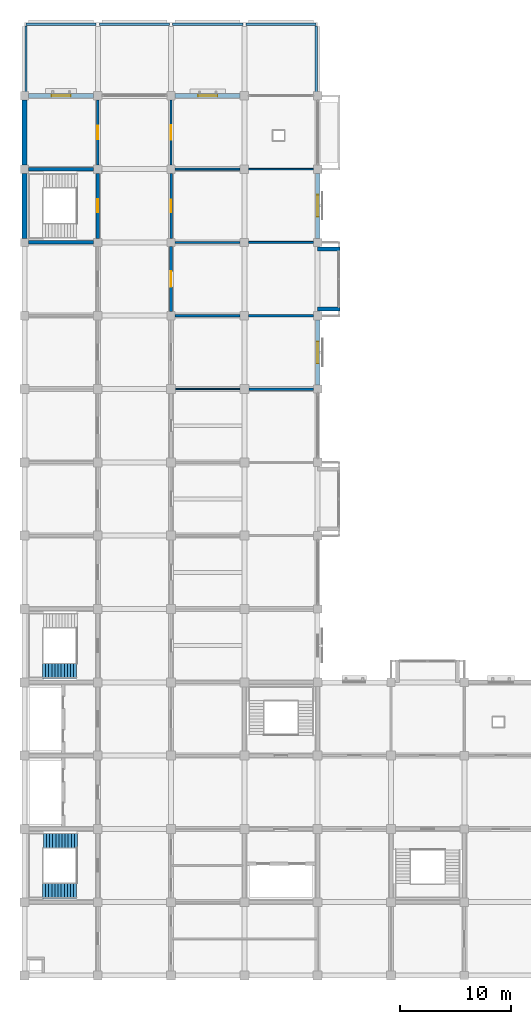
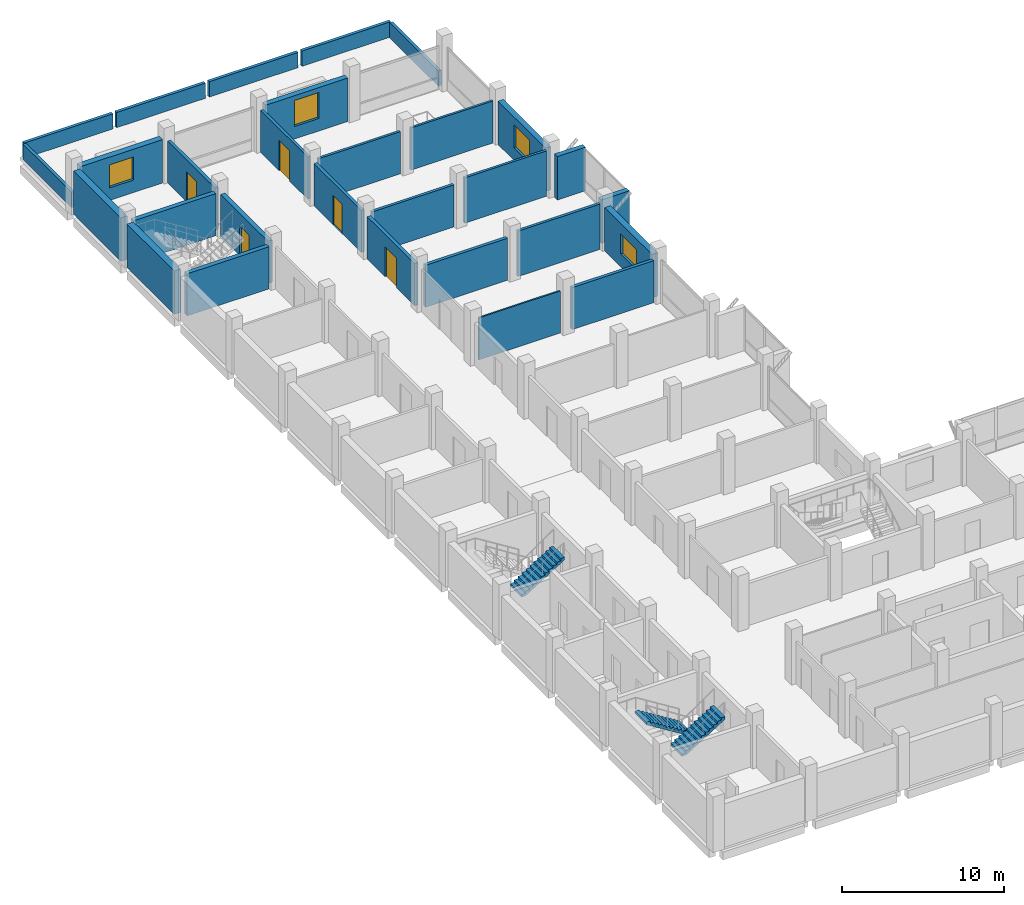
# One storey, part 11 of 15: 29 walls, 5 doors, 4 windows, 3 stair flights, 9 openings, 2 elements without a shape of their own.
"""IFC4 building model written with IfcOpenShell, lengths in metres."""

from ifc_helpers import new_model, si_unit, direction, frame, frame_2d, origin, place, context, subcontext, project, spatial, polyline, rectangle, outline, extrude, material, layer, layer_set, type_object, element, fill, aggregate, save


model = new_model("IFC4")

# Units and contexts
model_context = context("Model", 3, precision=1e-05, world=origin(), true_north=direction((0.0, 1.0)))
body_context = subcontext(model_context, "Body", "Model", "MODEL_VIEW")
ifc_project = project(units=[si_unit("LENGTHUNIT", "METRE"), si_unit("AREAUNIT", "SQUARE_METRE"), si_unit("VOLUMEUNIT", "CUBIC_METRE"), si_unit("PLANEANGLEUNIT", "RADIAN"), si_unit("MASSUNIT", "GRAM", prefix="KILO")], contexts=[model_context])

# Site, building, storey
site_placement = place(None, origin())
site = spatial("IfcSite", under=ifc_project, at=site_placement, CompositionType="ELEMENT")
building_placement = place(site_placement, origin())
building = spatial("IfcBuilding", under=site, at=building_placement, Name="Rusizi Kubbe Research Institute", CompositionType="ELEMENT")
storey_placement = place(building_placement, frame((0.0, 0.0, 27.0)))
storey = spatial("IfcBuildingStorey", under=building, at=storey_placement, Name="L06", CompositionType="ELEMENT", Elevation=27.0)

# Walls
ifc_material_1 = material(Name="Concrete C45/55", Category="concrete")
ifc_layer_1 = layer(ifc_material_1, 0.31494140625)
ifc_layer_set_1 = layer_set([ifc_layer_1], Name="Concrete C45/55")
wall_type_1 = type_object("IfcWallType", Name="CRW-02", PredefinedType="SHEAR", material=ifc_layer_set_1)
for number, where, z_axis, x_axis, name in (
    (1, (0.375, 66.0, 0.0), (0.0, 0.0, 1.0), (1.0, 0.0, 0.0), "Stair Core Shear Wall ST5 L06 S"),
    (2, (0.375, 72.60009765625, 0.0), (0.0, 0.0, 1.0), (1.0, 0.0, 0.0), "Stair Core Shear Wall ST5 L06 N"),
):
    element("IfcWall", number, at=place(storey_placement, frame(where, z_axis=z_axis, x_axis=x_axis)), inside=storey, type_object=wall_type_1, Name=name, PredefinedType="SHEAR", context=body_context, shape_type="SweptSolid", body=[
        extrude(rectangle(XDim=5.85009765625, YDim=0.31494140625, at=frame_2d((2.925048828125, 0.0))), origin(), (0.0, 0.0, 1.0), 3.169921875),
    ])

# Wall, opening, door
wall_1_placement = place(storey_placement, frame((6.60009765625, 66.375, 0.0), z_axis=(0.0, 0.0, 1.0), x_axis=(0.0, 1.0, 0.0)))
wall_1 = element("IfcWall", 3, at=wall_1_placement, inside=storey, type_object=wall_type_1, Name="Stair Core Shear Wall ST5 L06 E", PredefinedType="SHEAR", context=body_context, shape_type="SweptSolid", body=[
    extrude(rectangle(XDim=5.85009765625, YDim=0.31494140625, at=frame_2d((2.925048828125, 0.0))), origin(), (0.0, 0.0, 1.0), 3.169921875),
])
opening_1_placement = place(wall_1_placement, frame((2.35009765625, 0.0, 0.0)))
opening_1 = element("IfcOpeningElement", 4, at=opening_1_placement, cuts=wall_1, Name="Opening D-02", PredefinedType="OPENING", context=body_context, shape_type="SweptSolid", body=[
    extrude(rectangle(XDim=1.14990234375, YDim=2.199951171875, at=frame_2d((0.574951171875, 1.10009765625))), frame((0.0, 0.16748046875, 0.0), z_axis=(0.0, -1.0, 0.0), x_axis=(1.0, 0.0, 0.0)), (0.0, 0.0, 1.0), 0.3349609375),
])
ifc_material_2 = material(Name="Fire-Rated Steel Frame and Acoustic Timber Leaf", Category="wood")
door_type_1 = type_object("IfcDoorType", Name="ID-STAIR-115", OperationType="NOTDEFINED", PredefinedType="DOOR", material=ifc_material_2)
door_1_placement = place(opening_1_placement, origin())
door_1 = element("IfcDoor", 5, at=door_1_placement, inside=storey, type_object=door_type_1, Name="Exit Stair Door ST5 L06", OperationType="SINGLE_SWING_RIGHT", OverallHeight=2.199951171875, OverallWidth=1.14990234375, PredefinedType="DOOR", context=body_context, shape_type="SweptSolid", body=[
    extrude(rectangle(XDim=1.14990234375, YDim=2.199951171875, at=frame_2d((0.574951171875, 1.10009765625))), frame((0.0, 0.02490234375, 0.0), z_axis=(0.0, -1.0, 0.0), x_axis=(1.0, 0.0, 0.0)), (0.0, 0.0, 1.0), 0.050048828125),
])
fill(opening_1, door_1)

# Wall, opening, window
ifc_material_3 = material(Name="Volcanic Basalt Ashlar Masonry", Category="masonry")
ifc_layer_2 = layer(ifc_material_3, 0.419921875)
ifc_layer_set_2 = layer_set([ifc_layer_2], Name="Volcanic Basalt Ashlar Masonry")
wall_type_2 = type_object("IfcWallType", Name="EW-02", PredefinedType="SOLIDWALL", material=ifc_layer_set_2)
wall_2_placement = place(storey_placement, frame((0.375, 79.199951171875, 0.0), z_axis=(0.0, 0.0, 1.0), x_axis=(1.0, 0.0, 0.0)))
wall_2 = element("IfcWall", 6, at=wall_2_placement, inside=storey, type_object=wall_type_2, Name="Ablaq Stone Exterior Wall L06 H0-12", PredefinedType="SOLIDWALL", context=body_context, shape_type="SweptSolid", body=[
    extrude(rectangle(XDim=5.85009765625, YDim=0.419921875, at=frame_2d((2.925048828125, 0.0))), origin(), (0.0, 0.0, 1.0), 3.27001953125),
])
opening_2_placement = place(wall_2_placement, frame((2.06494140625, 0.0, 0.949951171875)))
opening_2 = element("IfcOpeningElement", 7, at=opening_2_placement, cuts=wall_2, Name="Opening WN-23", PredefinedType="OPENING", context=body_context, shape_type="SweptSolid", body=[
    extrude(rectangle(XDim=1.719970703125, YDim=1.739990234375, at=frame_2d((0.85986328125, 0.8701171875))), frame((0.0, 0.219970703125, 0.0), z_axis=(0.0, -1.0, 0.0), x_axis=(1.0, 0.0, 0.0)), (0.0, 0.0, 1.0), 0.43994140625),
])
ifc_material_4 = material(Name="Aluminium Frame and Solar-Control Double Glazing", Category="glass")
window_type_1 = type_object("IfcWindowType", Name="WN-23", PartitioningType="DOUBLE_PANEL_VERTICAL", PredefinedType="WINDOW", material=ifc_material_4)
window_1_placement = place(opening_2_placement, origin())
window_1 = element("IfcWindow", 8, at=window_1_placement, inside=storey, type_object=window_type_1, Name="Casement Window WN-23 L06", OverallHeight=1.739990234375, OverallWidth=1.719970703125, PartitioningType="DOUBLE_PANEL_VERTICAL", PredefinedType="WINDOW", context=body_context, shape_type="SweptSolid", body=[
    extrude(rectangle(XDim=1.719970703125, YDim=1.739990234375, at=frame_2d((0.85986328125, 0.8701171875))), frame((0.0, 0.030029296875, 0.0), z_axis=(0.0, -1.0, 0.0), x_axis=(1.0, 0.0, 0.0)), (0.0, 0.0, 1.0), 0.06005859375),
])
fill(opening_2, window_1)

wall_3_placement = place(storey_placement, frame((26.39990234375, 53.175048828125, 0.0), z_axis=(0.0, 0.0, 1.0), x_axis=(0.0, 1.0, 0.0)))
wall_3 = element("IfcWall", 9, at=wall_3_placement, inside=storey, type_object=wall_type_2, Name="Ablaq Stone Exterior Wall L06 V4-8", PredefinedType="SOLIDWALL", context=body_context, shape_type="SweptSolid", body=[
    extrude(rectangle(XDim=5.849853515625, YDim=0.419921875, at=frame_2d((2.9248046875, 0.0))), origin(), (0.0, 0.0, 1.0), 3.27001953125),
])
opening_3_placement = place(wall_3_placement, frame((1.945068359375, 0.0, 0.949951171875)))
opening_3 = element("IfcOpeningElement", 10, at=opening_3_placement, cuts=wall_3, Name="Opening WN-26", PredefinedType="OPENING", context=body_context, shape_type="SweptSolid", body=[
    extrude(rectangle(XDim=1.9599609375, YDim=1.52001953125, at=frame_2d((0.97998046875, 0.760009765625))), frame((0.0, 0.219970703125, 0.0), z_axis=(0.0, -1.0, 0.0), x_axis=(1.0, 0.0, 0.0)), (0.0, 0.0, 1.0), 0.43994140625),
])
ifc_material_5 = material(Name="Aluminium Frame and Solar-Control Double Glazing", Category="glass")
window_type_2 = type_object("IfcWindowType", Name="WN-26", PartitioningType="DOUBLE_PANEL_VERTICAL", PredefinedType="WINDOW", material=ifc_material_5)
window_2_placement = place(opening_3_placement, origin())
window_2 = element("IfcWindow", 11, at=window_2_placement, inside=storey, type_object=window_type_2, Name="Casement Window WN-26 L06", OverallHeight=1.52001953125, OverallWidth=1.9599609375, PartitioningType="DOUBLE_PANEL_VERTICAL", PredefinedType="WINDOW", context=body_context, shape_type="SweptSolid", body=[
    extrude(rectangle(XDim=1.9599609375, YDim=1.52001953125, at=frame_2d((0.97998046875, 0.760009765625))), frame((0.0, 0.030029296875, 0.0), z_axis=(0.0, -1.0, 0.0), x_axis=(1.0, 0.0, 0.0)), (0.0, 0.0, 1.0), 0.06005859375),
])
fill(opening_3, window_2)

ifc_material_6 = material(Name="Volcanic Basalt Ashlar Masonry", Category="masonry")
ifc_layer_3 = layer(ifc_material_6, 0.385009765625)
ifc_layer_set_3 = layer_set([ifc_layer_3], Name="Volcanic Basalt Ashlar Masonry")
wall_type_3 = type_object("IfcWallType", Name="EW-04", PredefinedType="SOLIDWALL", material=ifc_layer_set_3)
wall_4_placement = place(storey_placement, frame((13.574951171875, 79.199951171875, 0.0), z_axis=(0.0, 0.0, 1.0), x_axis=(1.0, 0.0, 0.0)))
wall_4 = element("IfcWall", 12, at=wall_4_placement, inside=storey, type_object=wall_type_3, Name="Ablaq Stone Exterior Wall L06 H2-12", PredefinedType="SOLIDWALL", context=body_context, shape_type="SweptSolid", body=[
    extrude(rectangle(XDim=5.85009765625, YDim=0.385009765625, at=frame_2d((2.925048828125, 0.0))), origin(), (0.0, 0.0, 1.0), 3.27001953125),
])
opening_4_placement = place(wall_4_placement, frame((2.06494140625, 0.0, 0.949951171875)))
opening_4 = element("IfcOpeningElement", 13, at=opening_4_placement, cuts=wall_4, Name="Opening WN-24", PredefinedType="OPENING", context=body_context, shape_type="SweptSolid", body=[
    extrude(rectangle(XDim=1.719970703125, YDim=1.9599609375, at=frame_2d((0.85986328125, 0.97998046875))), frame((0.0, 0.202392578125, 0.0), z_axis=(0.0, -1.0, 0.0), x_axis=(1.0, 0.0, 0.0)), (0.0, 0.0, 1.0), 0.405029296875),
])
ifc_material_7 = material(Name="Aluminium Frame and Solar-Control Double Glazing", Category="glass")
window_type_3 = type_object("IfcWindowType", Name="WN-24", PartitioningType="DOUBLE_PANEL_VERTICAL", PredefinedType="WINDOW", material=ifc_material_7)
window_3_placement = place(opening_4_placement, origin())
window_3 = element("IfcWindow", 14, at=window_3_placement, inside=storey, type_object=window_type_3, Name="Casement Window WN-24 L06", OverallHeight=1.9599609375, OverallWidth=1.719970703125, PartitioningType="DOUBLE_PANEL_VERTICAL", PredefinedType="WINDOW", context=body_context, shape_type="SweptSolid", body=[
    extrude(rectangle(XDim=1.719970703125, YDim=1.9599609375, at=frame_2d((0.85986328125, 0.97998046875))), frame((0.0, 0.030029296875, 0.0), z_axis=(0.0, -1.0, 0.0), x_axis=(1.0, 0.0, 0.0)), (0.0, 0.0, 1.0), 0.06005859375),
])
fill(opening_4, window_3)

wall_5_placement = place(storey_placement, frame((26.39990234375, 66.375, 0.0), z_axis=(0.0, 0.0, 1.0), x_axis=(0.0, 1.0, 0.0)))
wall_5 = element("IfcWall", 15, at=wall_5_placement, inside=storey, type_object=wall_type_3, Name="Ablaq Stone Exterior Wall L06 V4-10", PredefinedType="SOLIDWALL", context=body_context, shape_type="SweptSolid", body=[
    extrude(rectangle(XDim=5.85009765625, YDim=0.385009765625, at=frame_2d((2.925048828125, 0.0))), origin(), (0.0, 0.0, 1.0), 3.27001953125),
])
opening_5_placement = place(wall_5_placement, frame((1.945068359375, 0.0, 0.949951171875)))
opening_5 = element("IfcOpeningElement", 16, at=opening_5_placement, cuts=wall_5, Name="Opening WN-27", PredefinedType="OPENING", context=body_context, shape_type="SweptSolid", body=[
    extrude(rectangle(XDim=1.9599609375, YDim=1.739990234375, at=frame_2d((0.97998046875, 0.8701171875))), frame((0.0, 0.202392578125, 0.0), z_axis=(0.0, -1.0, 0.0), x_axis=(1.0, 0.0, 0.0)), (0.0, 0.0, 1.0), 0.405029296875),
])
ifc_material_8 = material(Name="Aluminium Frame and Solar-Control Double Glazing", Category="glass")
window_type_4 = type_object("IfcWindowType", Name="WN-27", PartitioningType="DOUBLE_PANEL_VERTICAL", PredefinedType="WINDOW", material=ifc_material_8)
window_4_placement = place(opening_5_placement, origin())
window_4 = element("IfcWindow", 17, at=window_4_placement, inside=storey, type_object=window_type_4, Name="Casement Window WN-27 L06", OverallHeight=1.739990234375, OverallWidth=1.9599609375, PartitioningType="DOUBLE_PANEL_VERTICAL", PredefinedType="WINDOW", context=body_context, shape_type="SweptSolid", body=[
    extrude(rectangle(XDim=1.9599609375, YDim=1.739990234375, at=frame_2d((0.97998046875, 0.8701171875))), frame((0.0, 0.030029296875, 0.0), z_axis=(0.0, -1.0, 0.0), x_axis=(1.0, 0.0, 0.0)), (0.0, 0.0, 1.0), 0.06005859375),
])
fill(opening_5, window_4)

# Walls
ifc_material_9 = material(Name="Volcanic Basalt Ashlar Masonry", Category="masonry")
ifc_layer_4 = layer(ifc_material_9, 0.35498046875)
ifc_layer_set_4 = layer_set([ifc_layer_4], Name="Volcanic Basalt Ashlar Masonry")
wall_type_4 = type_object("IfcWallType", Name="EW-06", PredefinedType="SOLIDWALL", material=ifc_layer_set_4)
for number, where, z_axis, x_axis, name in (
    (18, (26.39990234375, 60.0, 0.0), (0.0, 0.0, 1.0), (1.0, 0.0, 0.0), "Cumba Return Wall S L06 (4,9)"),
    (19, (26.39990234375, 65.39990234375, 0.0), (0.0, 0.0, 1.0), (1.0, 0.0, 0.0), "Cumba Return Wall N L06 (4,9)"),
):
    element("IfcWall", number, at=place(storey_placement, frame(where, z_axis=z_axis, x_axis=x_axis)), inside=storey, type_object=wall_type_4, Name=name, PredefinedType="SOLIDWALL", context=body_context, shape_type="SweptSolid", body=[
        extrude(rectangle(XDim=2.0, YDim=0.35498046875, at=frame_2d((1.0, 0.0))), origin(), (0.0, 0.0, 1.0), 3.27001953125),
    ])

# Wall, opening, door
ifc_material_10 = material(Name="Concrete Blockwork Fire Partition", Category="masonry")
ifc_layer_5 = layer(ifc_material_10, 0.22509765625)
ifc_layer_set_5 = layer_set([ifc_layer_5], Name="Concrete Blockwork Fire Partition")
wall_type_5 = type_object("IfcWallType", Name="IW-01", PredefinedType="PARTITIONING", material=ifc_layer_set_5)
wall_6_placement = place(storey_placement, frame((6.60009765625, 72.97509765625, 0.0), z_axis=(0.0, 0.0, 1.0), x_axis=(0.0, 1.0, 0.0)))
wall_6 = element("IfcWall", 20, at=wall_6_placement, inside=storey, type_object=wall_type_5, Name="Interior Partition Wall L06 V1-11", PredefinedType="PARTITIONING", context=body_context, shape_type="SweptSolid", body=[
    extrude(rectangle(XDim=5.849853515625, YDim=0.22509765625, at=frame_2d((2.9248046875, 0.0))), origin(), (0.0, 0.0, 1.0), 3.169921875),
])
opening_6_placement = place(wall_6_placement, frame((2.300048828125, 0.0, 0.0)))
opening_6 = element("IfcOpeningElement", 21, at=opening_6_placement, cuts=wall_6, Name="Opening D-15", PredefinedType="OPENING", context=body_context, shape_type="SweptSolid", body=[
    extrude(rectangle(XDim=1.25, YDim=2.25, at=frame_2d((0.625, 1.125))), frame((0.0, 0.12255859375, 0.0), z_axis=(0.0, -1.0, 0.0), x_axis=(1.0, 0.0, 0.0)), (0.0, 0.0, 1.0), 0.2451171875),
])
ifc_material_11 = material(Name="Fire-Rated Steel Frame and Acoustic Timber Leaf", Category="wood")
door_type_2 = type_object("IfcDoorType", Name="ID-LAB-125", OperationType="NOTDEFINED", PredefinedType="DOOR", material=ifc_material_11)
door_2_placement = place(opening_6_placement, origin())
door_2 = element("IfcDoor", 22, at=door_2_placement, inside=storey, type_object=door_type_2, Name="Door to Clean Room Metrology Laboratory (L06-WSP-11)", OperationType="SINGLE_SWING_LEFT", OverallHeight=2.25, OverallWidth=1.25, PredefinedType="DOOR", context=body_context, shape_type="SweptSolid", body=[
    extrude(rectangle(XDim=1.25, YDim=2.25, at=frame_2d((0.625, 1.125))), frame((0.0, 0.02490234375, 0.0), z_axis=(0.0, -1.0, 0.0), x_axis=(1.0, 0.0, 0.0)), (0.0, 0.0, 1.0), 0.050048828125),
])
fill(opening_6, door_2)

wall_7_placement = place(storey_placement, frame((13.199951171875, 66.375, 0.0), z_axis=(0.0, 0.0, 1.0), x_axis=(0.0, 1.0, 0.0)))
wall_7 = element("IfcWall", 23, at=wall_7_placement, inside=storey, type_object=wall_type_5, Name="Interior Partition Wall L06 V2-10", PredefinedType="PARTITIONING", context=body_context, shape_type="SweptSolid", body=[
    extrude(rectangle(XDim=5.85009765625, YDim=0.22509765625, at=frame_2d((2.925048828125, 0.0))), origin(), (0.0, 0.0, 1.0), 3.169921875),
])
opening_7_placement = place(wall_7_placement, frame((2.364990234375, 0.0, 0.0)))
opening_7 = element("IfcOpeningElement", 24, at=opening_7_placement, cuts=wall_7, Name="Opening D-18", PredefinedType="OPENING", context=body_context, shape_type="SweptSolid", body=[
    extrude(rectangle(XDim=1.1201171875, YDim=2.199951171875, at=frame_2d((0.56005859375, 1.10009765625))), frame((0.0, 0.12255859375, 0.0), z_axis=(0.0, -1.0, 0.0), x_axis=(1.0, 0.0, 0.0)), (0.0, 0.0, 1.0), 0.2451171875),
])
ifc_material_12 = material(Name="Fire-Rated Steel Frame and Acoustic Timber Leaf", Category="wood")
door_type_3 = type_object("IfcDoorType", Name="ID-OFF-112", OperationType="NOTDEFINED", PredefinedType="DOOR", material=ifc_material_12)
door_3_placement = place(opening_7_placement, origin())
door_3 = element("IfcDoor", 25, at=door_3_placement, inside=storey, type_object=door_type_3, Name="Door to Write-up Office (L06-NW-08)", OperationType="SINGLE_SWING_LEFT", OverallHeight=2.199951171875, OverallWidth=1.1201171875, PredefinedType="DOOR", context=body_context, shape_type="SweptSolid", body=[
    extrude(rectangle(XDim=1.1201171875, YDim=2.199951171875, at=frame_2d((0.56005859375, 1.10009765625))), frame((0.0, 0.02490234375, 0.0), z_axis=(0.0, -1.0, 0.0), x_axis=(1.0, 0.0, 0.0)), (0.0, 0.0, 1.0), 0.050048828125),
])
fill(opening_7, door_3)

# Walls
wall_8_placement = place(storey_placement, frame((13.574951171875, 59.39990234375, 0.0), z_axis=(0.0, 0.0, 1.0), x_axis=(1.0, 0.0, 0.0)))
element("IfcWall", 26, at=wall_8_placement, inside=storey, type_object=wall_type_5, Name="Interior Partition Wall L06 H2-9", PredefinedType="PARTITIONING", context=body_context, shape_type="SweptSolid", body=[
    extrude(rectangle(XDim=5.85009765625, YDim=0.22509765625, at=frame_2d((2.925048828125, 0.0))), origin(), (0.0, 0.0, 1.0), 3.169921875),
])
wall_9_placement = place(storey_placement, frame((20.199951171875, 52.800048828125, 0.0), z_axis=(0.0, 0.0, 1.0), x_axis=(1.0, 0.0, 0.0)))
element("IfcWall", 27, at=wall_9_placement, inside=storey, type_object=wall_type_5, Name="Interior Partition Wall L06 H3-8", PredefinedType="PARTITIONING", context=body_context, shape_type="SweptSolid", body=[
    extrude(rectangle(XDim=5.824951171875, YDim=0.22509765625, at=frame_2d((2.91259765625, 0.0))), origin(), (0.0, 0.0, 1.0), 3.169921875),
])

# Wall, opening, door
ifc_material_13 = material(Name="Insulated Cleanroom Partition", Category="masonry")
ifc_layer_6 = layer(ifc_material_13, 0.195068359375)
ifc_layer_set_6 = layer_set([ifc_layer_6], Name="Insulated Cleanroom Partition")
wall_type_6 = type_object("IfcWallType", Name="IW-02", PredefinedType="PARTITIONING", material=ifc_layer_set_6)
wall_10_placement = place(storey_placement, frame((13.199951171875, 72.97509765625, 0.0), z_axis=(0.0, 0.0, 1.0), x_axis=(0.0, 1.0, 0.0)))
wall_10 = element("IfcWall", 28, at=wall_10_placement, inside=storey, type_object=wall_type_6, Name="Interior Partition Wall L06 V2-11", PredefinedType="PARTITIONING", context=body_context, shape_type="SweptSolid", body=[
    extrude(rectangle(XDim=5.849853515625, YDim=0.195068359375, at=frame_2d((2.9248046875, 0.0))), origin(), (0.0, 0.0, 1.0), 3.169921875),
])
opening_8_placement = place(wall_10_placement, frame((2.27490234375, 0.0, 0.0)))
opening_8 = element("IfcOpeningElement", 29, at=opening_8_placement, cuts=wall_10, Name="Opening D-14", PredefinedType="OPENING", context=body_context, shape_type="SweptSolid", body=[
    extrude(rectangle(XDim=1.300048828125, YDim=2.300048828125, at=frame_2d((0.64990234375, 1.14990234375))), frame((0.0, 0.107421875, 0.0), z_axis=(0.0, -1.0, 0.0), x_axis=(1.0, 0.0, 0.0)), (0.0, 0.0, 1.0), 0.215087890625),
])
ifc_material_14 = material(Name="Fire-Rated Steel Frame and Acoustic Timber Leaf", Category="wood")
door_type_4 = type_object("IfcDoorType", Name="ID-LAB-130", OperationType="NOTDEFINED", PredefinedType="DOOR", material=ifc_material_14)
door_4_placement = place(opening_8_placement, origin())
door_4 = element("IfcDoor", 30, at=door_4_placement, inside=storey, type_object=door_type_4, Name="Door to Bioscience Wet Laboratory (L06-NW-09)", OperationType="SINGLE_SWING_RIGHT", OverallHeight=2.300048828125, OverallWidth=1.300048828125, PredefinedType="DOOR", context=body_context, shape_type="SweptSolid", body=[
    extrude(rectangle(XDim=1.300048828125, YDim=2.300048828125, at=frame_2d((0.64990234375, 1.14990234375))), frame((0.0, 0.02490234375, 0.0), z_axis=(0.0, -1.0, 0.0), x_axis=(1.0, 0.0, 0.0)), (0.0, 0.0, 1.0), 0.050048828125),
])
fill(opening_8, door_4)

# Walls
wall_11_placement = place(storey_placement, frame((13.574951171875, 66.0, 0.0), z_axis=(0.0, 0.0, 1.0), x_axis=(1.0, 0.0, 0.0)))
element("IfcWall", 31, at=wall_11_placement, inside=storey, type_object=wall_type_6, Name="Interior Partition Wall L06 H2-10", PredefinedType="PARTITIONING", context=body_context, shape_type="SweptSolid", body=[
    extrude(rectangle(XDim=5.85009765625, YDim=0.195068359375, at=frame_2d((2.925048828125, 0.0))), origin(), (0.0, 0.0, 1.0), 3.169921875),
])
wall_12_placement = place(storey_placement, frame((20.175048828125, 59.39990234375, 0.0), z_axis=(0.0, 0.0, 1.0), x_axis=(1.0, 0.0, 0.0)))
element("IfcWall", 32, at=wall_12_placement, inside=storey, type_object=wall_type_6, Name="Interior Partition Wall L06 H3-9", PredefinedType="PARTITIONING", context=body_context, shape_type="SweptSolid", body=[
    extrude(rectangle(XDim=5.849853515625, YDim=0.195068359375, at=frame_2d((2.9248046875, 0.0))), origin(), (0.0, 0.0, 1.0), 3.419921875),
])
ifc_material_15 = material(Name="Acoustic Laboratory Partition", Category="masonry")
ifc_layer_7 = layer(ifc_material_15, 0.175048828125)
ifc_layer_set_7 = layer_set([ifc_layer_7], Name="Acoustic Laboratory Partition")
wall_type_7 = type_object("IfcWallType", Name="IW-03", PredefinedType="PARTITIONING", material=ifc_layer_set_7)
wall_13_placement = place(storey_placement, frame((13.574951171875, 72.60009765625, 0.0), z_axis=(0.0, 0.0, 1.0), x_axis=(1.0, 0.0, 0.0)))
element("IfcWall", 33, at=wall_13_placement, inside=storey, type_object=wall_type_7, Name="Interior Partition Wall L06 H2-11", PredefinedType="PARTITIONING", context=body_context, shape_type="SweptSolid", body=[
    extrude(rectangle(XDim=5.85009765625, YDim=0.175048828125, at=frame_2d((2.925048828125, 0.0))), origin(), (0.0, 0.0, 1.0), 3.169921875),
])
wall_14_placement = place(storey_placement, frame((20.175048828125, 66.0, 0.0), z_axis=(0.0, 0.0, 1.0), x_axis=(1.0, 0.0, 0.0)))
element("IfcWall", 34, at=wall_14_placement, inside=storey, type_object=wall_type_7, Name="Interior Partition Wall L06 H3-10", PredefinedType="PARTITIONING", context=body_context, shape_type="SweptSolid", body=[
    extrude(rectangle(XDim=5.849853515625, YDim=0.175048828125, at=frame_2d((2.9248046875, 0.0))), origin(), (0.0, 0.0, 1.0), 3.419921875),
])
ifc_material_16 = material(Name="Fire-Rated Corridor Partition", Category="masonry")
ifc_layer_8 = layer(ifc_material_16, 0.155029296875)
ifc_layer_set_8 = layer_set([ifc_layer_8], Name="Fire-Rated Corridor Partition")
wall_type_8 = type_object("IfcWallType", Name="IW-04", PredefinedType="PARTITIONING", material=ifc_layer_set_8)
wall_15_placement = place(storey_placement, frame((20.175048828125, 72.60009765625, 0.0), z_axis=(0.0, 0.0, 1.0), x_axis=(1.0, 0.0, 0.0)))
element("IfcWall", 35, at=wall_15_placement, inside=storey, type_object=wall_type_8, Name="Interior Partition Wall L06 H3-11", PredefinedType="PARTITIONING", context=body_context, shape_type="SweptSolid", body=[
    extrude(rectangle(XDim=5.849853515625, YDim=0.155029296875, at=frame_2d((2.9248046875, 0.0))), origin(), (0.0, 0.0, 1.0), 3.169921875),
])
ifc_material_17 = material(Name="Sub-Suite Fire Partition", Category="masonry")
ifc_layer_9 = layer(ifc_material_17, 0.110107421875)
ifc_layer_set_9 = layer_set([ifc_layer_9], Name="Sub-Suite Fire Partition")
wall_type_9 = type_object("IfcWallType", Name="IW-07", PredefinedType="PARTITIONING", material=ifc_layer_set_9)
wall_16_placement = place(storey_placement, frame((13.60009765625, 52.800048828125, 0.0), z_axis=(0.0, 0.0, 1.0), x_axis=(1.0, 0.0, 0.0)))
element("IfcWall", 36, at=wall_16_placement, inside=storey, type_object=wall_type_9, Name="Interior Partition Wall L06 H2-8", PredefinedType="PARTITIONING", context=body_context, shape_type="SweptSolid", body=[
    extrude(rectangle(XDim=5.7998046875, YDim=0.110107421875, at=frame_2d((2.89990234375, 0.0))), origin(), (0.0, 0.0, 1.0), 3.169921875),
])
ifc_material_18 = material(Name="Volcanic Basalt Ashlar Masonry", Category="masonry")
ifc_layer_10 = layer(ifc_material_18, 0.215087890625)
ifc_layer_set_10 = layer_set([ifc_layer_10], Name="Volcanic Basalt Ashlar Masonry")
wall_type_10 = type_object("IfcWallType", Name="PRP-02", PredefinedType="PARAPET", material=ifc_layer_set_10)
wall_17_placement = place(storey_placement, frame((0.139892578125, 85.659912109375, 0.0), z_axis=(0.0, 0.0, 1.0), x_axis=(1.0, 0.0, 0.0)))
element("IfcWall", 37, at=wall_17_placement, inside=storey, type_object=wall_type_10, Name="Roof Parapet Wall L06-001", PredefinedType="PARAPET", context=body_context, shape_type="SweptSolid", body=[
    extrude(rectangle(XDim=6.320068359375, YDim=0.215087890625, at=frame_2d((3.16015625, 0.0))), origin(), (0.0, 0.0, 1.0), 1.14990234375),
])
wall_18_placement = place(storey_placement, frame((0.139892578125, 79.5, 0.0), z_axis=(0.0, 0.0, 1.0), x_axis=(0.0, 1.0, 0.0)))
element("IfcWall", 38, at=wall_18_placement, inside=storey, type_object=wall_type_10, Name="Roof Parapet Wall L06-002", PredefinedType="PARAPET", context=body_context, shape_type="SweptSolid", body=[
    extrude(rectangle(XDim=6.0, YDim=0.215087890625, at=frame_2d((3.0, 0.0))), origin(), (0.0, 0.0, 1.0), 1.14990234375),
])
wall_19_placement = place(storey_placement, frame((6.739990234375, 85.659912109375, 0.0), z_axis=(0.0, 0.0, 1.0), x_axis=(1.0, 0.0, 0.0)))
element("IfcWall", 39, at=wall_19_placement, inside=storey, type_object=wall_type_10, Name="Roof Parapet Wall L06-003", PredefinedType="PARAPET", context=body_context, shape_type="SweptSolid", body=[
    extrude(rectangle(XDim=6.320068359375, YDim=0.215087890625, at=frame_2d((3.16015625, 0.0))), origin(), (0.0, 0.0, 1.0), 1.14990234375),
])
wall_20_placement = place(storey_placement, frame((13.340087890625, 85.659912109375, 0.0), z_axis=(0.0, 0.0, 1.0), x_axis=(1.0, 0.0, 0.0)))
element("IfcWall", 40, at=wall_20_placement, inside=storey, type_object=wall_type_10, Name="Roof Parapet Wall L06-004", PredefinedType="PARAPET", context=body_context, shape_type="SweptSolid", body=[
    extrude(rectangle(XDim=6.31982421875, YDim=0.215087890625, at=frame_2d((3.159912109375, 0.0))), origin(), (0.0, 0.0, 1.0), 1.14990234375),
])
wall_21_placement = place(storey_placement, frame((19.93994140625, 85.659912109375, 0.0), z_axis=(0.0, 0.0, 1.0), x_axis=(1.0, 0.0, 0.0)))
element("IfcWall", 41, at=wall_21_placement, inside=storey, type_object=wall_type_10, Name="Roof Parapet Wall L06-005", PredefinedType="PARAPET", context=body_context, shape_type="SweptSolid", body=[
    extrude(rectangle(XDim=6.320068359375, YDim=0.215087890625, at=frame_2d((3.16015625, 0.0))), origin(), (0.0, 0.0, 1.0), 1.14990234375),
])
wall_22_placement = place(storey_placement, frame((26.260009765625, 79.5, 0.0), z_axis=(0.0, 0.0, 1.0), x_axis=(0.0, 1.0, 0.0)))
element("IfcWall", 42, at=wall_22_placement, inside=storey, type_object=wall_type_10, Name="Roof Parapet Wall L06-006", PredefinedType="PARAPET", context=body_context, shape_type="SweptSolid", body=[
    extrude(rectangle(XDim=6.0, YDim=0.215087890625, at=frame_2d((3.0, 0.0))), origin(), (0.0, 0.0, 1.0), 1.14990234375),
])
ifc_material_19 = material(Name="Concrete C40/50", Category="concrete")
ifc_layer_11 = layer(ifc_material_19, 0.4599609375)
ifc_layer_set_11 = layer_set([ifc_layer_11], Name="Concrete C40/50")
wall_type_11 = type_object("IfcWallType", Name="PW-02", PredefinedType="SOLIDWALL", material=ifc_layer_set_11)
wall_23_placement = place(storey_placement, frame((0.0, 66.375, 0.0), z_axis=(0.0, 0.0, 1.0), x_axis=(0.0, 1.0, 0.0)))
element("IfcWall", 43, at=wall_23_placement, inside=storey, type_object=wall_type_11, Name="Blind Party Wall L06 V0-10", PredefinedType="SOLIDWALL", context=body_context, shape_type="SweptSolid", body=[
    extrude(rectangle(XDim=5.85009765625, YDim=0.4599609375, at=frame_2d((2.925048828125, 0.0))), origin(), (0.0, 0.0, 1.0), 3.27001953125),
])
wall_24_placement = place(storey_placement, frame((0.0, 72.97509765625, 0.0), z_axis=(0.0, 0.0, 1.0), x_axis=(0.0, 1.0, 0.0)))
element("IfcWall", 44, at=wall_24_placement, inside=storey, type_object=wall_type_11, Name="Blind Party Wall L06 V0-11", PredefinedType="SOLIDWALL", context=body_context, shape_type="SweptSolid", body=[
    extrude(rectangle(XDim=5.849853515625, YDim=0.4599609375, at=frame_2d((2.9248046875, 0.0))), origin(), (0.0, 0.0, 1.0), 3.27001953125),
])

# Wall, opening, door
ifc_material_20 = material(Name="Concrete C40/50", Category="concrete")
ifc_layer_12 = layer(ifc_material_20, 0.2548828125)
ifc_layer_set_12 = layer_set([ifc_layer_12], Name="Concrete C40/50")
wall_type_12 = type_object("IfcWallType", Name="SHW-02", PredefinedType="SHEAR", material=ifc_layer_set_12)
wall_25_placement = place(storey_placement, frame((13.199951171875, 59.77490234375, 0.0), z_axis=(0.0, 0.0, 1.0), x_axis=(0.0, 1.0, 0.0)))
wall_25 = element("IfcWall", 45, at=wall_25_placement, inside=storey, type_object=wall_type_12, Name="Interior Partition Wall L06 V2-9", PredefinedType="SHEAR", context=body_context, shape_type="SweptSolid", body=[
    extrude(rectangle(XDim=5.85009765625, YDim=0.2548828125, at=frame_2d((2.925048828125, 0.0))), origin(), (0.0, 0.0, 1.0), 3.169921875),
])
opening_9_placement = place(wall_25_placement, frame((2.22509765625, 0.0, 0.0)))
opening_9 = element("IfcOpeningElement", 46, at=opening_9_placement, cuts=wall_25, Name="Opening D-12", PredefinedType="OPENING", context=body_context, shape_type="SweptSolid", body=[
    extrude(rectangle(XDim=1.39990234375, YDim=2.25, at=frame_2d((0.699951171875, 1.125))), frame((0.0, 0.137451171875, 0.0), z_axis=(0.0, -1.0, 0.0), x_axis=(1.0, 0.0, 0.0)), (0.0, 0.0, 1.0), 0.27490234375),
])
ifc_material_21 = material(Name="Fire-Rated Steel Frame and Acoustic Timber Leaf", Category="wood")
door_type_5 = type_object("IfcDoorType", Name="ID-LAB-140", OperationType="NOTDEFINED", PredefinedType="DOOR", material=ifc_material_21)
door_5_placement = place(opening_9_placement, origin())
door_5 = element("IfcDoor", 47, at=door_5_placement, inside=storey, type_object=door_type_5, Name="Door to Computational Dry Laboratory (L06-NW-07)", OperationType="SINGLE_SWING_RIGHT", OverallHeight=2.25, OverallWidth=1.39990234375, PredefinedType="DOOR", context=body_context, shape_type="SweptSolid", body=[
    extrude(rectangle(XDim=1.39990234375, YDim=2.25, at=frame_2d((0.699951171875, 1.125))), frame((0.0, 0.02490234375, 0.0), z_axis=(0.0, -1.0, 0.0), x_axis=(1.0, 0.0, 0.0)), (0.0, 0.0, 1.0), 0.050048828125),
])
fill(opening_9, door_5)

# Stair, stair flights
ifc_material_22 = material(Name="Concrete C40/50", Category="concrete")
stair_type = type_object("IfcStairType", Name="ST-H420A", PredefinedType="HALF_TURN_STAIR", material=ifc_material_22)
stair_1_placement = place(storey_placement, origin())
stair_1 = element("IfcStair", 48, at=stair_1_placement, inside=storey, type_object=stair_type, Name="Protected Exit Stair ST1 (L06)", PredefinedType="HALF_TURN_STAIR")
ifc_material_23 = material(Name="Concrete C40/50", Category="concrete")
stair_flight_type = type_object("IfcStairFlightType", Name="FL-H420A", PredefinedType="STRAIGHT", material=ifc_material_23)
stair_flight_1_placement = place(storey_placement, frame((4.780029296875, 12.14990234375, 0.0), z_axis=(0.0, 0.0, 1.0), x_axis=(-1.0, 0.0, 0.0)))
stair_flight_1 = element("IfcStairFlight", 49, at=stair_flight_1_placement, type_object=stair_flight_type, Name="ST1 flight 1", NumberOfRisers=12, NumberOfTreads=11, PredefinedType="STRAIGHT", RiserHeight=0.175, TreadLength=0.28, context=body_context, shape_type="SweptSolid", body=[
    extrude(outline(polyline([(0.0, 0.0), (0.0, 0.175048828125), (0.280029296875, 0.175048828125), (0.280029296875, 0.35009765625), (0.56005859375, 0.35009765625), (0.56005859375, 0.52490234375), (0.840087890625, 0.52490234375), (0.840087890625, 0.699951171875), (1.1201171875, 0.699951171875), (1.1201171875, 0.875), (1.39990234375, 0.875), (1.39990234375, 1.050048828125), (1.679931640625, 1.050048828125), (1.679931640625, 1.22509765625), (1.9599609375, 1.22509765625), (1.9599609375, 1.39990234375), (2.239990234375, 1.39990234375), (2.239990234375, 1.574951171875), (2.52001953125, 1.574951171875), (2.52001953125, 1.75), (2.800048828125, 1.75), (2.800048828125, 1.925048828125), (3.080078125, 1.925048828125), (3.080078125, 2.10009765625), (3.080078125, 1.736328125), (0.3017578125, 0.0), (0.0, 0.0)])), frame((0.0, 0.699951171875, 0.0), z_axis=(0.0, -1.0, 0.0), x_axis=(1.0, 0.0, 0.0)), (0.0, 0.0, 1.0), 1.39990234375),
])
stair_flight_2_placement = place(storey_placement, frame((1.6259765625, 7.64990234375, 2.10009765625), z_axis=(0.0, 0.0, 1.0), x_axis=(1.0, 0.0, 0.0)))
stair_flight_2 = element("IfcStairFlight", 50, at=stair_flight_2_placement, type_object=stair_flight_type, Name="ST1 flight 2", NumberOfRisers=12, NumberOfTreads=11, PredefinedType="STRAIGHT", RiserHeight=0.175, TreadLength=0.28, context=body_context, shape_type="SweptSolid", body=[
    extrude(outline(polyline([(0.0, 0.0), (0.0, 0.175048828125), (0.280029296875, 0.175048828125), (0.280029296875, 0.35009765625), (0.56005859375, 0.35009765625), (0.56005859375, 0.52490234375), (0.840087890625, 0.52490234375), (0.840087890625, 0.699951171875), (1.1201171875, 0.699951171875), (1.1201171875, 0.875), (1.39990234375, 0.875), (1.39990234375, 1.050048828125), (1.679931640625, 1.050048828125), (1.679931640625, 1.22509765625), (1.9599609375, 1.22509765625), (1.9599609375, 1.39990234375), (2.239990234375, 1.39990234375), (2.239990234375, 1.574951171875), (2.52001953125, 1.574951171875), (2.52001953125, 1.75), (2.800048828125, 1.75), (2.800048828125, 1.925048828125), (3.080078125, 1.925048828125), (3.080078125, 2.10009765625), (3.080078125, 1.736328125), (0.3017578125, 0.0), (0.0, 0.0)])), frame((0.0, 0.699951171875, 0.0), z_axis=(0.0, -1.0, 0.0), x_axis=(1.0, 0.0, 0.0)), (0.0, 0.0, 1.0), 1.39990234375),
])
aggregate(stair_1, [stair_flight_1, stair_flight_2])

# Stair, stair flight
stair_2_placement = place(storey_placement, origin())
stair_2 = element("IfcStair", 51, at=stair_2_placement, inside=storey, type_object=stair_type, Name="Protected Exit Stair ST2 (L06)", PredefinedType="HALF_TURN_STAIR")
stair_flight_3_placement = place(storey_placement, frame((1.6259765625, 27.449951171875, 2.10009765625), z_axis=(0.0, 0.0, 1.0), x_axis=(1.0, 0.0, 0.0)))
stair_flight_3 = element("IfcStairFlight", 52, at=stair_flight_3_placement, type_object=stair_flight_type, Name="ST2 flight 2", NumberOfRisers=12, NumberOfTreads=11, PredefinedType="STRAIGHT", RiserHeight=0.175, TreadLength=0.28, context=body_context, shape_type="SweptSolid", body=[
    extrude(outline(polyline([(0.0, 0.0), (0.0, 0.175048828125), (0.280029296875, 0.175048828125), (0.280029296875, 0.35009765625), (0.56005859375, 0.35009765625), (0.56005859375, 0.52490234375), (0.840087890625, 0.52490234375), (0.840087890625, 0.699951171875), (1.1201171875, 0.699951171875), (1.1201171875, 0.875), (1.39990234375, 0.875), (1.39990234375, 1.050048828125), (1.679931640625, 1.050048828125), (1.679931640625, 1.22509765625), (1.9599609375, 1.22509765625), (1.9599609375, 1.39990234375), (2.239990234375, 1.39990234375), (2.239990234375, 1.574951171875), (2.52001953125, 1.574951171875), (2.52001953125, 1.75), (2.800048828125, 1.75), (2.800048828125, 1.925048828125), (3.080078125, 1.925048828125), (3.080078125, 2.10009765625), (3.080078125, 1.736328125), (0.3017578125, 0.0), (0.0, 0.0)])), frame((0.0, 0.699951171875, 0.0), z_axis=(0.0, -1.0, 0.0), x_axis=(1.0, 0.0, 0.0)), (0.0, 0.0, 1.0), 1.39990234375),
])
aggregate(stair_2, [stair_flight_3])

save(model, "model.ifc")
